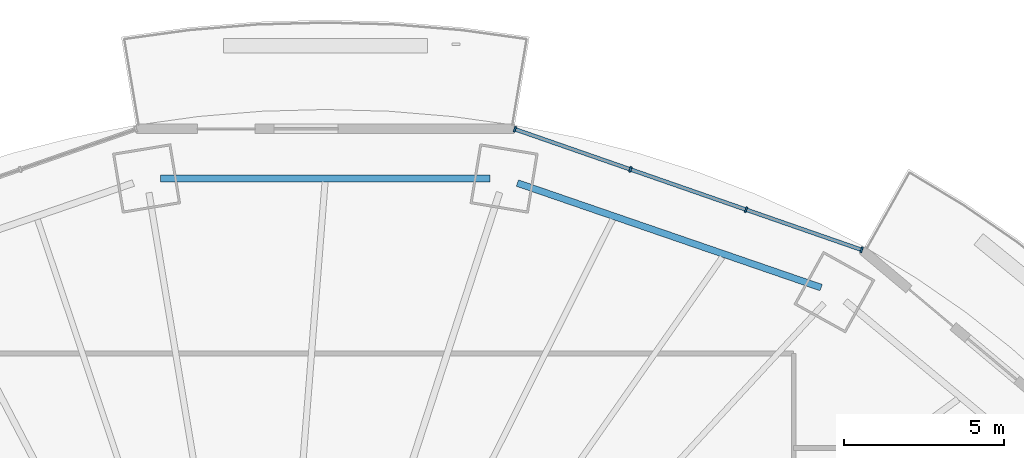
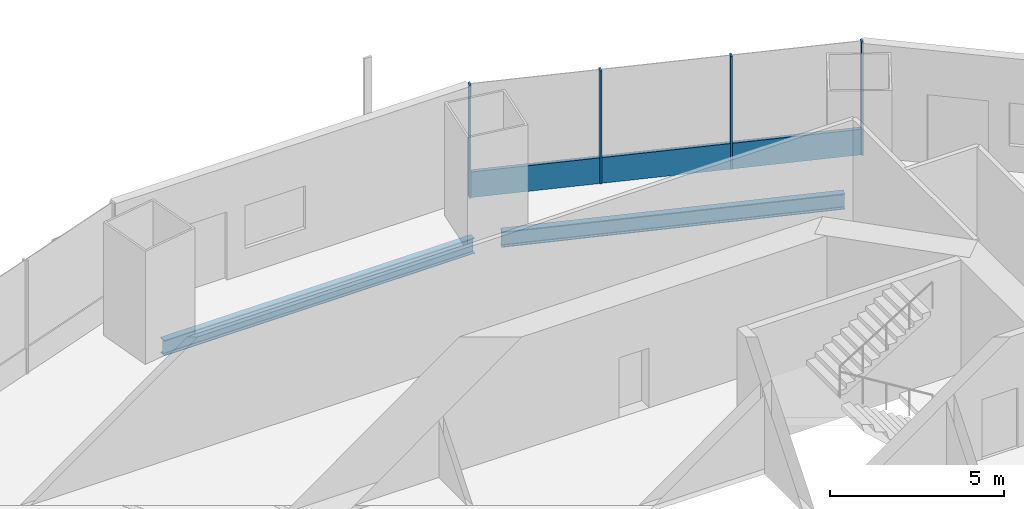
# One storey, part 8 of 19: 5 members, 2 beams, 1 element without a shape of its own.
"""IFC4 building model written with IfcOpenShell, lengths in metres."""

import ifcopenshell
import ifcopenshell.guid

model = None  # the IFC model being written
_history = None  # IfcOwnerHistory: only IFC2X3 demands one
_inside = {}  # id of a spatial element -> (the spatial element, [elements in it])
_under = {}  # id of a project, library or spatial element -> (it, [spatial elements below it])
_declared = {}  # id of a project -> (the project, [libraries it declares])
_typed = {}  # id of a type object -> (the type object, [elements of that type])
_made_of = {}  # id of a material, layer set ... -> (it, [elements and type objects made of it])


def new_model(schema):
    """Start an empty IFC model of exactly this schema.

    Asked for "IFC4X3", IfcOpenShell would pick the latest addendum, in which some entities
    have other attributes; the version numbers below select the first issue.
    IFC2X3 requires an IfcOwnerHistory on every rooted entity: one is made here for all.
    """
    global model, _history
    if schema == "IFC4X3":
        model = ifcopenshell.file(schema_version=(4, 3, 0, 0))
    else:
        model = ifcopenshell.file(schema=schema)
    _inside.clear()
    _under.clear()
    _declared.clear()
    _typed.clear()
    _made_of.clear()
    _history = None
    if model.schema == "IFC2X3":
        org = make("IfcOrganization", Name="unknown")
        user = make(
            "IfcPersonAndOrganization",
            ThePerson=make("IfcPerson", FamilyName="unknown"),
            TheOrganization=org,
        )
        app = make(
            "IfcApplication",
            ApplicationDeveloper=org,
            Version="unknown",
            ApplicationFullName="unknown",
            ApplicationIdentifier="unknown",
        )
        _history = make(
            "IfcOwnerHistory",
            OwningUser=user,
            OwningApplication=app,
            ChangeAction="ADDED",
            CreationDate=0,
        )
    return model


def make(cls, **values):
    """One entity of the class cls with the attributes given. An attribute that is None is left unset."""
    return model.create_entity(
        cls, **{name: value for name, value in values.items() if value is not None}
    )


def rooted(cls, **values):
    """An entity with a GlobalId (a new one), such as an element, a storey or a relation."""
    return make(cls, GlobalId=ifcopenshell.guid.new(), OwnerHistory=_history, **values)


def si_unit(unit_type, name, prefix=None):
    """IfcSIUnit, for example si_unit("LENGTHUNIT", "METRE", prefix="MILLI")."""
    return make("IfcSIUnit", UnitType=unit_type, Prefix=prefix, Name=name)


def assignment(units):
    """IfcUnitAssignment: the units of a project."""
    return None if units is None else make("IfcUnitAssignment", Units=units)


def point(xyz):
    """IfcCartesianPoint."""
    return None if xyz is None else make("IfcCartesianPoint", Coordinates=xyz)


def direction(xyz):
    """IfcDirection."""
    return None if xyz is None else make("IfcDirection", DirectionRatios=xyz)


def frame(location, z_axis=None, x_axis=None):
    """IfcAxis2Placement3D, a coordinate frame: its origin and axes. An axis left out is left unset."""
    return make(
        "IfcAxis2Placement3D",
        Location=point(location),
        Axis=direction(z_axis),
        RefDirection=direction(x_axis),
    )


def frame_2d(location, x_axis=None):
    """IfcAxis2Placement2D, a coordinate frame in the plane: its origin and x axis."""
    return make(
        "IfcAxis2Placement2D", Location=point(location), RefDirection=direction(x_axis)
    )


def origin():
    """The frame at (0, 0, 0) with its axes left unset."""
    return frame((0.0, 0.0, 0.0))


def origin_2d():
    """The frame at (0, 0) in the plane with its x axis left unset."""
    return frame_2d((0.0, 0.0))


def place(relative_to, where):
    """IfcLocalPlacement: puts the frame where relative to a parent placement (None: the world)."""
    return make(
        "IfcLocalPlacement", PlacementRelTo=relative_to, RelativePlacement=where
    )


def context(
    kind, dimensions, precision=None, world=None, true_north=None, identifier=None
):
    """IfcGeometricRepresentationContext, for example the 3D "Model" context."""
    return make(
        "IfcGeometricRepresentationContext",
        ContextIdentifier=identifier,
        ContextType=kind,
        CoordinateSpaceDimension=dimensions,
        Precision=precision,
        WorldCoordinateSystem=world,
        TrueNorth=true_north,
    )


def subcontext(parent, identifier, kind, view, scale=None):
    """IfcGeometricRepresentationSubContext, for example "Body" below "Model"."""
    return make(
        "IfcGeometricRepresentationSubContext",
        ContextIdentifier=identifier,
        ContextType=kind,
        ParentContext=parent,
        TargetScale=scale,
        TargetView=view,
    )


def project(units=None, contexts=None):
    """IfcProject with its units and contexts."""
    return rooted(
        "IfcProject",
        Name="project",
        RepresentationContexts=contexts,
        UnitsInContext=assignment(units),
    )


def spatial(cls, under=None, at=None, **own):
    """A site, building, storey or space (cls), placed at a placement, below another one or the project."""
    s = rooted(cls, ObjectPlacement=at, **own)
    if under is not None:
        _under.setdefault(under.id(), (under, []))[1].append(s)
    return s


def profile(cls, at=None, kind="AREA", **sizes):
    """A parametric profile (cls). Its sizes go by their IFC names, for example OverallWidth=200.0."""
    return make(cls, ProfileType=kind, Position=at, **sizes)


def rectangle(**sizes):
    """IfcRectangleProfileDef."""
    return profile("IfcRectangleProfileDef", **sizes)


def i_section(**sizes):
    """IfcIShapeProfileDef."""
    return profile("IfcIShapeProfileDef", **sizes)


def extrude(swept, where, along, depth):
    """IfcExtrudedAreaSolid: the profile swept, set in the frame where, extruded along a direction by depth."""
    return make(
        "IfcExtrudedAreaSolid",
        SweptArea=swept,
        Position=where,
        ExtrudedDirection=direction(along),
        Depth=depth,
    )


def shape(context_of_items, identifier, shape_type, items):
    """IfcShapeRepresentation: the items that make up one representation, for example the "Body"."""
    return make(
        "IfcShapeRepresentation",
        ContextOfItems=context_of_items,
        RepresentationIdentifier=identifier,
        RepresentationType=shape_type,
        Items=items,
    )


def material(Name=None, Category=None):
    """IfcMaterial."""
    return make("IfcMaterial", Name=Name, Category=Category)


def material_profile(
    of_material, cross_section, Name=None, Category=None, Priority=None
):
    """IfcMaterialProfile: a cross section and its material."""
    return make(
        "IfcMaterialProfile",
        Name=Name,
        Material=of_material,
        Profile=cross_section,
        Priority=Priority,
        Category=Category,
    )


def profile_set(profiles, Name=None, composite=None):
    """IfcMaterialProfileSet."""
    return make(
        "IfcMaterialProfileSet",
        Name=Name,
        MaterialProfiles=profiles,
        CompositeProfile=composite,
    )


def made_of(thing, what):
    """Note that an element or type object is made of a material, layer set ...; save() writes the relation."""
    if what is not None:
        _made_of.setdefault(what.id(), (what, []))[1].append(thing)
    return thing


def type_object(cls, material=None, **own):
    """A type object (cls), such as IfcWallType, which elements share."""
    return made_of(rooted(cls, **own), material)


def element(
    cls,
    number,
    at=None,
    inside=None,
    cuts=None,
    type_object=None,
    material=None,
    context=None,
    identifier="Body",
    shape_type=None,
    held_by="IfcProductDefinitionShape",
    body=None,
    shapes=None,
    **own,
):
    """One element of the class cls, such as IfcWall. Its Tag is "e" and its number.

    at: its placement. inside: the storey or other place that contains it. cuts: it is an
    opening in that element (IfcRelVoidsElement). A single representation is given by context,
    identifier, shape_type and body (its items); several are given by shapes. held_by: the class
    of the entity that holds the representations. save() writes the other relations.
    """
    e = rooted(cls, Tag="e%d" % number, ObjectPlacement=at, **own)
    if body is not None:
        shapes = [shape(context, identifier, shape_type, body)]
    if shapes is not None:
        e.Representation = make(held_by, Representations=shapes)
    if inside is not None:
        _inside.setdefault(inside.id(), (inside, []))[1].append(e)
    if cuts is not None:
        rooted(
            "IfcRelVoidsElement", RelatingBuildingElement=cuts, RelatedOpeningElement=e
        )
    if type_object is not None:
        _typed.setdefault(type_object.id(), (type_object, []))[1].append(e)
    return made_of(e, material)


def aggregate(whole, parts):
    """IfcRelAggregates: a whole, such as a stair, and the parts it consists of."""
    return rooted("IfcRelAggregates", RelatingObject=whole, RelatedObjects=parts)


def save(model, path):
    """Write the relations noted so far, then the file.

    IfcRelAggregates (storeys below a building ...), IfcRelContainedInSpatialStructure (elements
    in a storey), IfcRelDefinesByType, IfcRelAssociatesMaterial and IfcRelDeclares: one each for
    every whole, place, type object, material and project.
    """
    for whole, parts in _under.values():
        aggregate(whole, parts)
    for where, things in _inside.values():
        rooted(
            "IfcRelContainedInSpatialStructure",
            RelatedElements=things,
            RelatingStructure=where,
        )
    for kind, things in _typed.values():
        rooted("IfcRelDefinesByType", RelatedObjects=things, RelatingType=kind)
    for what, things in _made_of.values():
        rooted("IfcRelAssociatesMaterial", RelatedObjects=things, RelatingMaterial=what)
    for by, libraries in _declared.values():
        rooted("IfcRelDeclares", RelatingContext=by, RelatedDefinitions=libraries)
    model.write(path)


model = new_model("IFC4")

# Units and contexts
model_context = context("Model", 3, precision=1e-05, world=origin(), true_north=direction((0.0, 1.0)))
body_context = subcontext(model_context, "Body", "Model", "MODEL_VIEW")
ifc_project = project(units=[si_unit("LENGTHUNIT", "METRE"), si_unit("AREAUNIT", "SQUARE_METRE"), si_unit("VOLUMEUNIT", "CUBIC_METRE"), si_unit("PLANEANGLEUNIT", "RADIAN"), si_unit("MASSUNIT", "GRAM", prefix="KILO")], contexts=[model_context])

# Site, building, storey
site_placement = place(None, origin())
site = spatial("IfcSite", under=ifc_project, at=site_placement, CompositionType="ELEMENT")
building_placement = place(site_placement, origin())
building = spatial("IfcBuilding", under=site, at=building_placement, Name="Marenthal Gate Tower", CompositionType="ELEMENT")
storey_placement = place(building_placement, frame((0.0, 0.0, 244.050048828125)))
storey = spatial("IfcBuildingStorey", under=building, at=storey_placement, Name="L54", CompositionType="ELEMENT", Elevation=244.050048828125)

# Curtain wall, members
ifc_material_1 = material(Name="Aluminium and glass", Category="aluminium")
curtain_wall_type = type_object("IfcCurtainWallType", Name="Curtain wall typical mid", PredefinedType="NOTDEFINED", material=ifc_material_1)
curtain_wall_placement = place(storey_placement, origin())
curtain_wall = element("IfcCurtainWall", 1, at=curtain_wall_placement, inside=storey, type_object=curtain_wall_type, Name="Curtain wall L54 bay 3", PredefinedType="NOTDEFINED")
ifc_material_2 = material(Name="Aluminium", Category="aluminium")
ifc_material_profile_1 = material_profile(ifc_material_2, rectangle(XDim=0.179931640625, YDim=0.06005859375, at=origin_2d()), Name="60x180 aluminium mullion")
ifc_profile_set_1 = profile_set([ifc_material_profile_1], Name="Aluminium")
member_type_1 = type_object("IfcMemberType", Name="Mullion 60x180 typical mid", PredefinedType="MULLION", material=ifc_profile_set_1)
member_1_placement = place(storey_placement, frame((18.574951171875, 20.5283203125, 0.0), z_axis=(0.0, 0.0, 1.0), x_axis=(-0.328540448732, -0.944489901241, 0.0)))
member_1 = element("IfcMember", 2, at=member_1_placement, type_object=member_type_1, Name="Mullion L54 bay 3.1", PredefinedType="MULLION", context=body_context, shape_type="SweptSolid", body=[
    extrude(rectangle(XDim=0.179931640625, YDim=0.06005859375, at=origin_2d()), origin(), (0.0, 0.0, 1.0), 3.969970703125),
])
member_2_placement = place(storey_placement, frame((14.95947265625, 21.785888671875, 0.0), z_axis=(0.0, 0.0, 1.0), x_axis=(-0.328540448732, -0.944489901241, 0.0)))
member_2 = element("IfcMember", 3, at=member_2_placement, type_object=member_type_1, Name="Mullion L54 bay 3.2", PredefinedType="MULLION", context=body_context, shape_type="SweptSolid", body=[
    extrude(rectangle(XDim=0.179931640625, YDim=0.06005859375, at=origin_2d()), origin(), (0.0, 0.0, 1.0), 3.969970703125),
])
member_3_placement = place(storey_placement, frame((11.34423828125, 23.04345703125, 0.0), z_axis=(0.0, 0.0, 1.0), x_axis=(-0.328540448732, -0.944489901241, 0.0)))
member_3 = element("IfcMember", 4, at=member_3_placement, type_object=member_type_1, Name="Mullion L54 bay 3.3", PredefinedType="MULLION", context=body_context, shape_type="SweptSolid", body=[
    extrude(rectangle(XDim=0.179931640625, YDim=0.06005859375, at=origin_2d()), origin(), (0.0, 0.0, 1.0), 3.969970703125),
])
member_4_placement = place(storey_placement, frame((7.728759765625, 24.30126953125, 0.0), z_axis=(0.0, 0.0, 1.0), x_axis=(-0.328540448732, -0.944489901241, 0.0)))
member_4 = element("IfcMember", 5, at=member_4_placement, type_object=member_type_1, Name="Mullion L54 bay 3.4", PredefinedType="MULLION", context=body_context, shape_type="SweptSolid", body=[
    extrude(rectangle(XDim=0.179931640625, YDim=0.06005859375, at=origin_2d()), origin(), (0.0, 0.0, 1.0), 3.969970703125),
])
ifc_material_3 = material(Name="Aluminium", Category="aluminium")
ifc_material_profile_2 = material_profile(ifc_material_3, rectangle(XDim=0.1201171875, YDim=0.89990234375, at=origin_2d()), Name="120x900 aluminium transom")
ifc_profile_set_2 = profile_set([ifc_material_profile_2], Name="Aluminium")
member_type_2 = type_object("IfcMemberType", Name="Transom 120x900 typical mid", PredefinedType="USERDEFINED", material=ifc_profile_set_2)
member_5_placement = place(storey_placement, frame((18.546630859375, 20.538330078125, 0.449951171875), z_axis=(-0.944495643428, 0.328523940598, 0.0), x_axis=(-0.328523940598, -0.944495643428, 0.0)))
member_5 = element("IfcMember", 6, at=member_5_placement, type_object=member_type_2, Name="Transom L54 bay 3", ObjectType="TRANSOM", PredefinedType="USERDEFINED", context=body_context, shape_type="SweptSolid", body=[
    extrude(rectangle(XDim=0.1201171875, YDim=0.89990234375, at=origin_2d()), origin(), (0.0, 0.0, 1.0), 11.423583984375),
])
aggregate(curtain_wall, [member_1, member_2, member_3, member_4, member_5])

# Beams
ifc_material_4 = material(Name="Steel S355", Category="steel")
ifc_material_profile_3 = material_profile(ifc_material_4, i_section(OverallWidth=0.2119140625, OverallDepth=0.5439453125, WebThickness=0.01318359375, FlangeThickness=0.021240234375, FilletRadius=0.0126953125, at=origin_2d()), Name="W530X123")
ifc_profile_set_3 = profile_set([ifc_material_profile_3], Name="Steel S355")
beam_type = type_object("IfcBeamType", Name="W530X123 beam", PredefinedType="BEAM", material=ifc_profile_set_3)
beam_1_placement = place(storey_placement, frame((17.309814453125, 19.347900390625, -0.4521484375), z_axis=(-0.945563077228, 0.325438883638, 0.0), x_axis=(-0.325438883638, -0.945563077228, 0.0)))
element("IfcBeam", 7, at=beam_1_placement, inside=storey, type_object=beam_type, Name="BM-L54-43", PredefinedType="BEAM", context=body_context, shape_type="SweptSolid", body=[
    extrude(i_section(OverallWidth=0.2119140625, OverallDepth=0.5439453125, WebThickness=0.01318359375, FlangeThickness=0.021240234375, FilletRadius=0.0126953125, at=origin_2d()), origin(), (0.0, 0.0, 1.0), 10.05029296875),
])
beam_2_placement = place(storey_placement, frame((6.954833984375, 22.76123046875, -0.4521484375), z_axis=(-1.0, 0.0, 0.0), x_axis=(0.0, -1.0, 0.0)))
element("IfcBeam", 8, at=beam_2_placement, inside=storey, type_object=beam_type, Name="BM-L54-44", PredefinedType="BEAM", context=body_context, shape_type="SweptSolid", body=[
    extrude(i_section(OverallWidth=0.2119140625, OverallDepth=0.5439453125, WebThickness=0.01318359375, FlangeThickness=0.021240234375, FilletRadius=0.0126953125, at=origin_2d()), origin(), (0.0, 0.0, 1.0), 10.3095703125),
])

save(model, "model.ifc")
